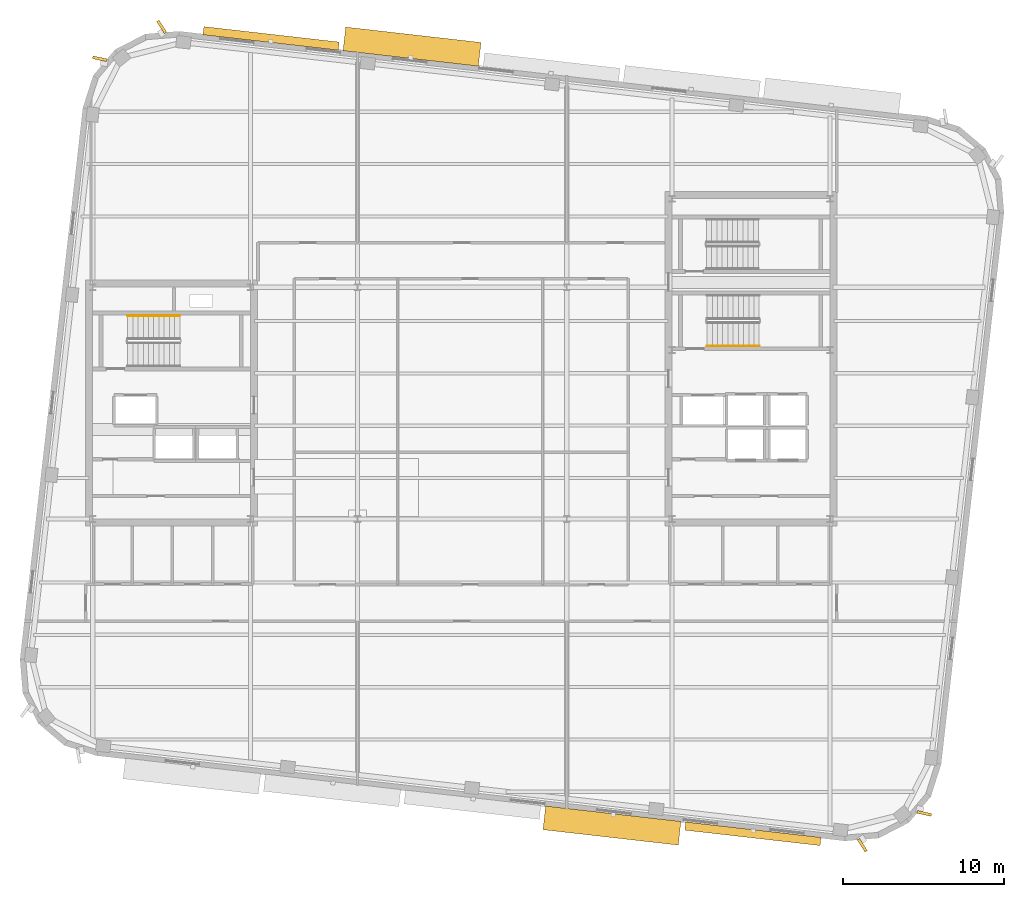
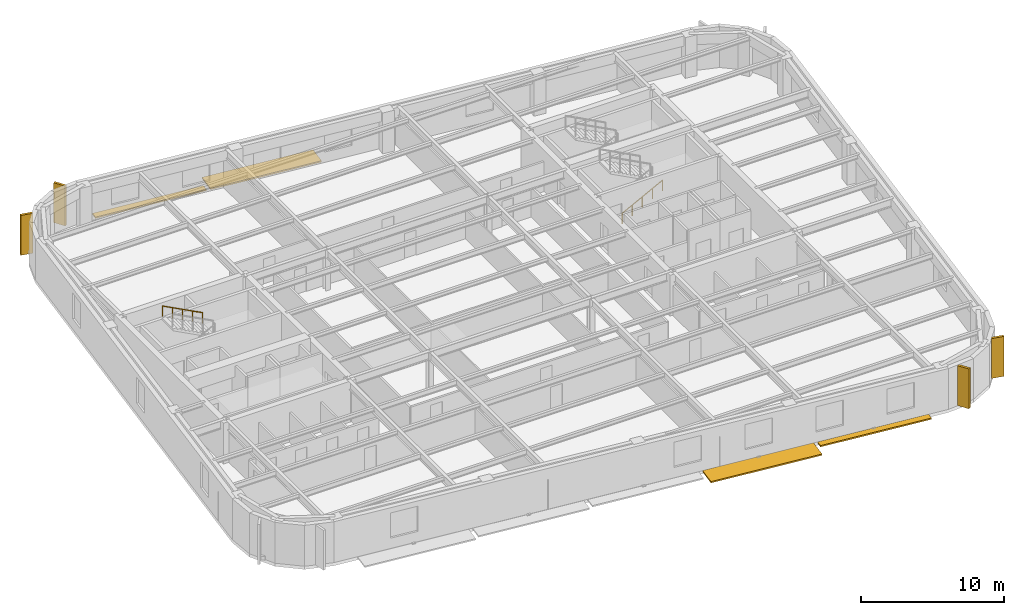
# One storey, part 12 of 14: 8 shading devices, 2 railings.
"""IFC4 building model written with IfcOpenShell, lengths in metres."""

from ifc_helpers import new_model, si_unit, direction, frame, origin, origin_2d, place, context, subcontext, project, spatial, rectangle, circle, extrude, material, type_object, element, save


model = new_model("IFC4")

# Units and contexts
model_context = context("Model", 3, precision=1e-05, world=origin(), true_north=direction((0.0, 1.0)))
body_context = subcontext(model_context, "Body", "Model", "MODEL_VIEW")
ifc_project = project(units=[si_unit("LENGTHUNIT", "METRE"), si_unit("AREAUNIT", "SQUARE_METRE"), si_unit("VOLUMEUNIT", "CUBIC_METRE"), si_unit("PLANEANGLEUNIT", "RADIAN"), si_unit("MASSUNIT", "GRAM", prefix="KILO")], contexts=[model_context])

# Site, building, storey
site_placement = place(None, origin())
site = spatial("IfcSite", under=ifc_project, at=site_placement, CompositionType="ELEMENT")
building_placement = place(site_placement, origin())
building = spatial("IfcBuilding", under=site, at=building_placement, Name="Kolvaren Arena Tower", CompositionType="ELEMENT")
storey_placement = place(building_placement, frame((0.0, 0.0, 247.199951171875)))
storey = spatial("IfcBuildingStorey", under=building, at=storey_placement, Name="L60", CompositionType="ELEMENT", Elevation=247.199951171875)

# Railings
ifc_material_1 = material(Name="Brushed stainless steel handrail", Category="steel")
railing_type = type_object("IfcRailingType", Name="HRAIL-900", PredefinedType="HANDRAIL", material=ifc_material_1)
railing_1_placement = place(storey_placement, frame((19.9599609375, 32.080078125, 2.04541015625)))
element("IfcRailing", 1, at=railing_1_placement, inside=storey, type_object=railing_type, Name="L60 ST-W1 stair handrail 2", PredefinedType="HANDRAIL", context=body_context, shape_type="SweptSolid", body=[
    extrude(circle(Radius=0.02392578125, at=origin_2d()), frame((0.0, 0.0, 0.8759765625), z_axis=(-0.884993431791, 0.0, 0.465603506952), x_axis=(0.0, -1.0, 0.0)), (0.0, 0.0, 1.0), 3.6611328125),
    extrude(circle(Radius=0.02099609375, at=origin_2d()), origin(), (0.0, 0.0, 1.0), 0.851806640625),
    extrude(circle(Radius=0.02099609375, at=origin_2d()), frame((-0.81005859375, 0.0, 0.42626953125)), (0.0, 0.0, 1.0), 0.851806640625),
    extrude(circle(Radius=0.02099609375, at=origin_2d()), frame((-1.6201171875, 0.0, 0.852294921875)), (0.0, 0.0, 1.0), 0.851806640625),
    extrude(circle(Radius=0.02099609375, at=origin_2d()), frame((-2.429931640625, 0.0, 1.2783203125)), (0.0, 0.0, 1.0), 0.851806640625),
    extrude(circle(Radius=0.02099609375, at=origin_2d()), frame((-3.239990234375, 0.0, 1.70458984375)), (0.0, 0.0, 1.0), 0.851806640625),
])
railing_2_placement = place(storey_placement, frame((52.719970703125, 30.199951171875, 0.17041015625)))
element("IfcRailing", 2, at=railing_2_placement, inside=storey, type_object=railing_type, Name="L60 ST-E1 stair handrail 1", PredefinedType="HANDRAIL", context=body_context, shape_type="SweptSolid", body=[
    extrude(circle(Radius=0.02392578125, at=origin_2d()), frame((0.0, 0.0, 0.8759765625), z_axis=(0.884993431791, 0.0, 0.465603506952), x_axis=(0.0, 1.0, 0.0)), (0.0, 0.0, 1.0), 3.6611328125),
    extrude(circle(Radius=0.02099609375, at=origin_2d()), origin(), (0.0, 0.0, 1.0), 0.851806640625),
    extrude(circle(Radius=0.02099609375, at=origin_2d()), frame((0.81005859375, 0.0, 0.42626953125)), (0.0, 0.0, 1.0), 0.851806640625),
    extrude(circle(Radius=0.02099609375, at=origin_2d()), frame((1.6201171875, 0.0, 0.852294921875)), (0.0, 0.0, 1.0), 0.851806640625),
    extrude(circle(Radius=0.02099609375, at=origin_2d()), frame((2.429931640625, 0.0, 1.2783203125)), (0.0, 0.0, 1.0), 0.851806640625),
    extrude(circle(Radius=0.02099609375, at=origin_2d()), frame((3.239990234375, 0.0, 1.70458984375)), (0.0, 0.0, 1.0), 0.851806640625),
])

# Shading devices
ifc_material_2 = material(Name="Precast architectural concrete C50/60 rib fin", Category="concrete")
shading_device_type_1 = type_object("IfcShadingDeviceType", Name="SHAD-FIN-28", PredefinedType="USERDEFINED", material=ifc_material_2)
for number, where, z_axis, x_axis, name in (
    (3, (62.365234375, -0.824951171875, 0.02001953125), (0.0, 0.0, 1.0), (0.540981810797, -0.84103429204, 0.0), "Precast 28-Deg Corner Rib Fin (L60)"),
    (4, (66.2138671875, 1.1572265625, 0.02001953125), (0.0, 0.0, 1.0), (0.977234439221, -0.21216232182, 0.0), "Precast 28-Deg Corner Rib Fin (L60)"),
    (5, (18.834716796875, 50.02490234375, 0.02001953125), (0.0, 0.0, 1.0), (-0.540981810797, 0.84103429204, 0.0), "Precast 28-Deg Corner Rib Fin (L60)"),
    (6, (14.986083984375, 48.042724609375, 0.02001953125), (0.0, 0.0, 1.0), (-0.977234439221, 0.21216232182, 0.0), "Precast 28-Deg Corner Rib Fin (L60)"),
):
    element("IfcShadingDevice", number, at=place(storey_placement, frame(where, z_axis=z_axis, x_axis=x_axis)), inside=storey, type_object=shading_device_type_1, Name=name, ObjectType="FIN", PredefinedType="USERDEFINED", context=body_context, shape_type="SweptSolid", body=[
        extrude(rectangle(XDim=0.89990234375, YDim=0.179931640625, at=origin_2d()), origin(), (0.0, 0.0, 1.0), 3.39990234375),
    ])
ifc_material_3 = material(Name="Architectural precast GFRC and anodised aluminium sunshade", Category="concrete")
shading_device_type_2 = type_object("IfcShadingDeviceType", Name="SHAD-SINE-A", PredefinedType="USERDEFINED", material=ifc_material_3)
for number, where, z_axis, x_axis, name in (
    (7, (25.630859375, 49.308837890625, -0.139892578125), (0.0, 0.0, 1.0), (0.993571658098, -0.113204947878, 0.0), "Sinusoidal Slab-Edge Sunshade Louvre (L60)"),
    (8, (55.569091796875, -0.10888671875, -0.139892578125), (0.0, 0.0, 1.0), (-0.993571658098, 0.113204947878, 0.0), "Sinusoidal Slab-Edge Sunshade Louvre (L60)"),
):
    element("IfcShadingDevice", number, at=place(storey_placement, frame(where, z_axis=z_axis, x_axis=x_axis)), inside=storey, type_object=shading_device_type_2, Name=name, ObjectType="LOUVRE", PredefinedType="USERDEFINED", context=body_context, shape_type="SweptSolid", body=[
        extrude(rectangle(XDim=8.4599609375, YDim=0.510986328125, at=origin_2d()), origin(), (0.0, 0.0, 1.0), 0.1201171875),
    ])
shading_device_type_3 = type_object("IfcShadingDeviceType", Name="SHAD-SINE-B", PredefinedType="JALOUSIE", material=ifc_material_3)
for number, where, z_axis, x_axis, name in (
    (9, (34.389404296875, 48.798583984375, -0.139892578125), (0.0, 0.0, 1.0), (0.993571658098, -0.113204947878, 0.0), "Sinusoidal Slab-Edge Sunshade Louvre (L60)"),
    (10, (46.810546875, 0.4013671875, -0.139892578125), (0.0, 0.0, 1.0), (-0.993571658098, 0.113204947878, 0.0), "Sinusoidal Slab-Edge Sunshade Louvre (L60)"),
):
    element("IfcShadingDevice", number, at=place(storey_placement, frame(where, z_axis=z_axis, x_axis=x_axis)), inside=storey, type_object=shading_device_type_3, Name=name, PredefinedType="JALOUSIE", context=body_context, shape_type="SweptSolid", body=[
        extrude(rectangle(XDim=8.4599609375, YDim=1.480224609375, at=origin_2d()), origin(), (0.0, 0.0, 1.0), 0.1201171875),
    ])

save(model, "model.ifc")
